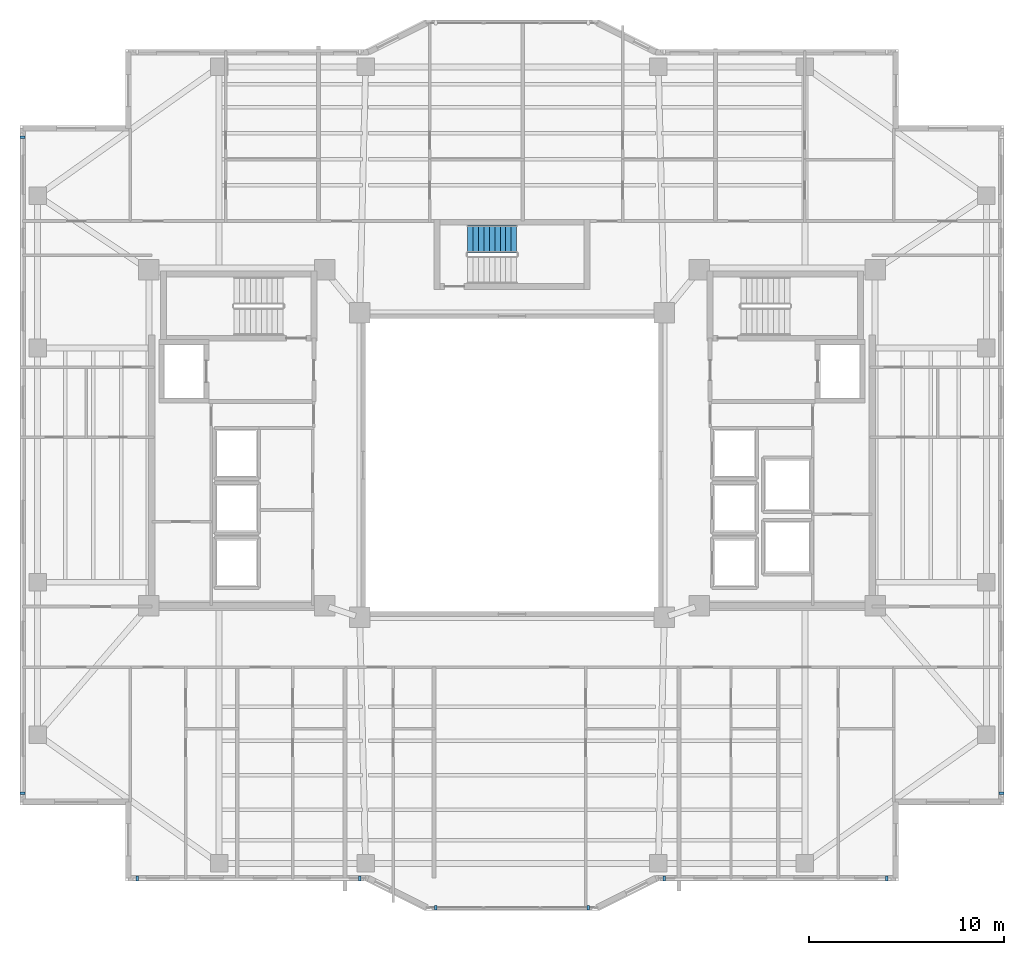
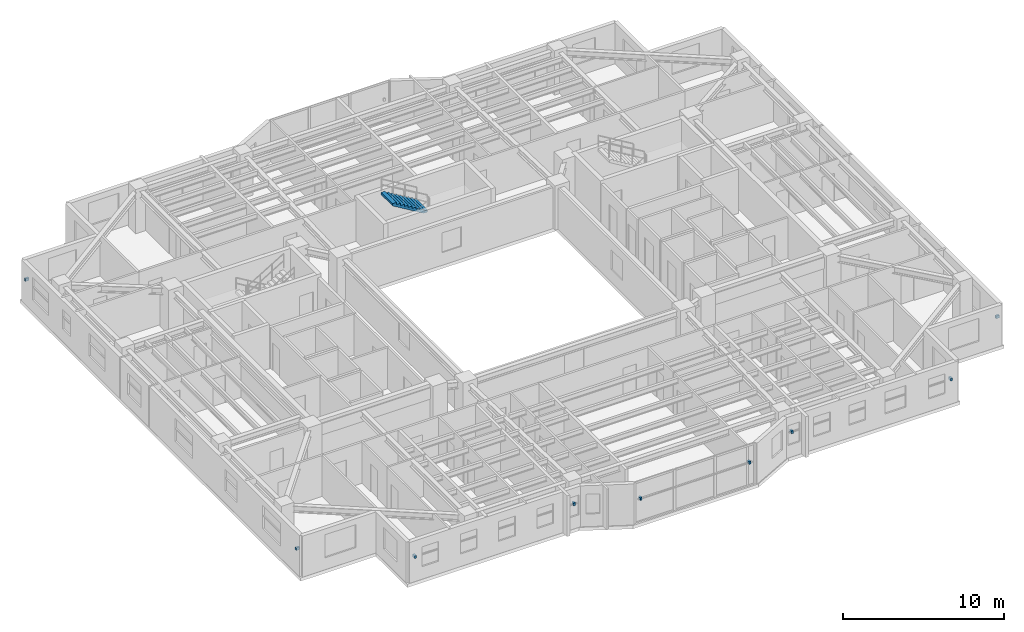
# One storey, part 12 of 16: 9 discrete accessories, 1 stair flight, 1 element without a shape of its own.
"""IFC4 building model written with IfcOpenShell, lengths in metres."""

from ifc_helpers import new_model, si_unit, direction, frame, origin, origin_2d, place, context, subcontext, project, spatial, polyline, rectangle, outline, extrude, material, type_object, element, aggregate, save


model = new_model("IFC4")

# Units and contexts
model_context = context("Model", 3, precision=1e-05, world=origin(), true_north=direction((0.0, 1.0)))
body_context = subcontext(model_context, "Body", "Model", "MODEL_VIEW")
ifc_project = project(units=[si_unit("LENGTHUNIT", "METRE"), si_unit("AREAUNIT", "SQUARE_METRE"), si_unit("VOLUMEUNIT", "CUBIC_METRE"), si_unit("PLANEANGLEUNIT", "RADIAN"), si_unit("MASSUNIT", "GRAM", prefix="KILO")], contexts=[model_context])

# Site, building, storey
site_placement = place(None, origin())
site = spatial("IfcSite", under=ifc_project, at=site_placement, CompositionType="ELEMENT")
building_placement = place(site_placement, origin())
building = spatial("IfcBuilding", under=site, at=building_placement, Name="Tarnavaz Court Tower", CompositionType="ELEMENT")
storey_placement = place(building_placement, frame((0.0, 0.0, 166.10009765625)))
storey = spatial("IfcBuildingStorey", under=building, at=storey_placement, Name="L45", CompositionType="ELEMENT", Elevation=166.10009765625)

# Stair, stair flight
ifc_material_1 = material(Name="Concrete C40/50", Category="concrete")
stair_type = type_object("IfcStairType", Name="ST-TWR-20R", PredefinedType="HALF_TURN_STAIR", material=ifc_material_1)
stair_placement = place(storey_placement, origin())
stair = element("IfcStair", 1, at=stair_placement, inside=storey, type_object=stair_type, Name="L45 North Ring Pressurized Exit Stair ST-N1", PredefinedType="HALF_TURN_STAIR")
stair_flight_type = type_object("IfcStairFlightType", Name="SFL-RC-20R", PredefinedType="STRAIGHT", material=ifc_material_1)
stair_flight_placement = place(storey_placement, frame((0.239990234375, 11.580078125, 1.6748046875), z_axis=(0.0, 0.0, 1.0), x_axis=(-1.0, 0.0, 0.0)))
stair_flight = element("IfcStairFlight", 2, at=stair_flight_placement, type_object=stair_flight_type, Name="ST-N1 flight 2", NumberOfRisers=10, NumberOfTreads=9, PredefinedType="STRAIGHT", RiserHeight=0.1675, TreadLength=0.28, context=body_context, shape_type="SweptSolid", body=[
    extrude(outline(polyline([(0.0, 0.0), (0.0, 0.16748046875), (0.280029296875, 0.16748046875), (0.280029296875, 0.3349609375), (0.56005859375, 0.3349609375), (0.56005859375, 0.50244140625), (0.840087890625, 0.50244140625), (0.840087890625, 0.669921875), (1.1201171875, 0.669921875), (1.1201171875, 0.83740234375), (1.39990234375, 0.83740234375), (1.39990234375, 1.0048828125), (1.679931640625, 1.0048828125), (1.679931640625, 1.172607421875), (1.9599609375, 1.172607421875), (1.9599609375, 1.340087890625), (2.239990234375, 1.340087890625), (2.239990234375, 1.507568359375), (2.52001953125, 1.507568359375), (2.52001953125, 1.675048828125), (2.52001953125, 1.332763671875), (0.2919921875, 0.0), (0.0, 0.0)])), frame((0.0, 0.7099609375, 0.0), z_axis=(0.0, -1.0, 0.0), x_axis=(1.0, 0.0, 0.0)), (0.0, 0.0, 1.0), 1.419921875),
])
aggregate(stair, [stair_flight])

# Discrete accessories
ifc_material_2 = material(Name="Anodised Aluminium 6063-T6", Category="aluminium")
discrete_accessory_type = type_object("IfcDiscreteAccessoryType", Name="DA-BRKT-ALU", PredefinedType="BRACKET", material=ifc_material_2)
for number, where, z_axis, x_axis, name in (
    (3, (-25.070068359375, -16.800048828125, 1.75), (0.0, 0.0, 1.0), (0.0, 1.0, 0.0), "L45 Baguette Outrigger Bracket FBG02-1"),
    (4, (-25.070068359375, 16.800048828125, 1.75), (0.0, 0.0, 1.0), (0.0, 1.0, 0.0), "L45 Baguette Outrigger Bracket FBG02-2"),
    (5, (25.070068359375, -16.800048828125, 1.75), (0.0, 0.0, 1.0), (0.0, -1.0, 0.0), "L45 Baguette Outrigger Bracket FBG12-2"),
    (6, (19.199951171875, -21.169921875, 1.75), (0.0, 0.0, 1.0), (-1.0, 0.0, 0.0), "L45 Baguette Outrigger Bracket FBG15-1"),
    (7, (7.800048828125, -21.169921875, 1.75), (0.0, 0.0, 1.0), (-1.0, 0.0, 0.0), "L45 Baguette Outrigger Bracket FBG15-2"),
    (8, (3.89990234375, -22.669921875, 1.69970703125), (0.0, 0.0, 1.0), (-1.0, 0.0, 0.0), "L45 Baguette Outrigger Bracket PBG17-1"),
    (9, (-3.89990234375, -22.669921875, 1.69970703125), (0.0, 0.0, 1.0), (-1.0, 0.0, 0.0), "L45 Baguette Outrigger Bracket PBG17-2"),
    (10, (-7.800048828125, -21.169921875, 1.75), (0.0, 0.0, 1.0), (-1.0, 0.0, 0.0), "L45 Baguette Outrigger Bracket FBG19-1"),
    (11, (-19.199951171875, -21.169921875, 1.75), (0.0, 0.0, 1.0), (-1.0, 0.0, 0.0), "L45 Baguette Outrigger Bracket FBG19-2"),
):
    element("IfcDiscreteAccessory", number, at=place(storey_placement, frame(where, z_axis=z_axis, x_axis=x_axis)), inside=storey, type_object=discrete_accessory_type, Name=name, PredefinedType="BRACKET", context=body_context, shape_type="SweptSolid", body=[
        extrude(rectangle(XDim=0.139892578125, YDim=0.239990234375, at=origin_2d()), origin(), (0.0, 0.0, 1.0), 0.199951171875),
    ])

save(model, "model.ifc")
